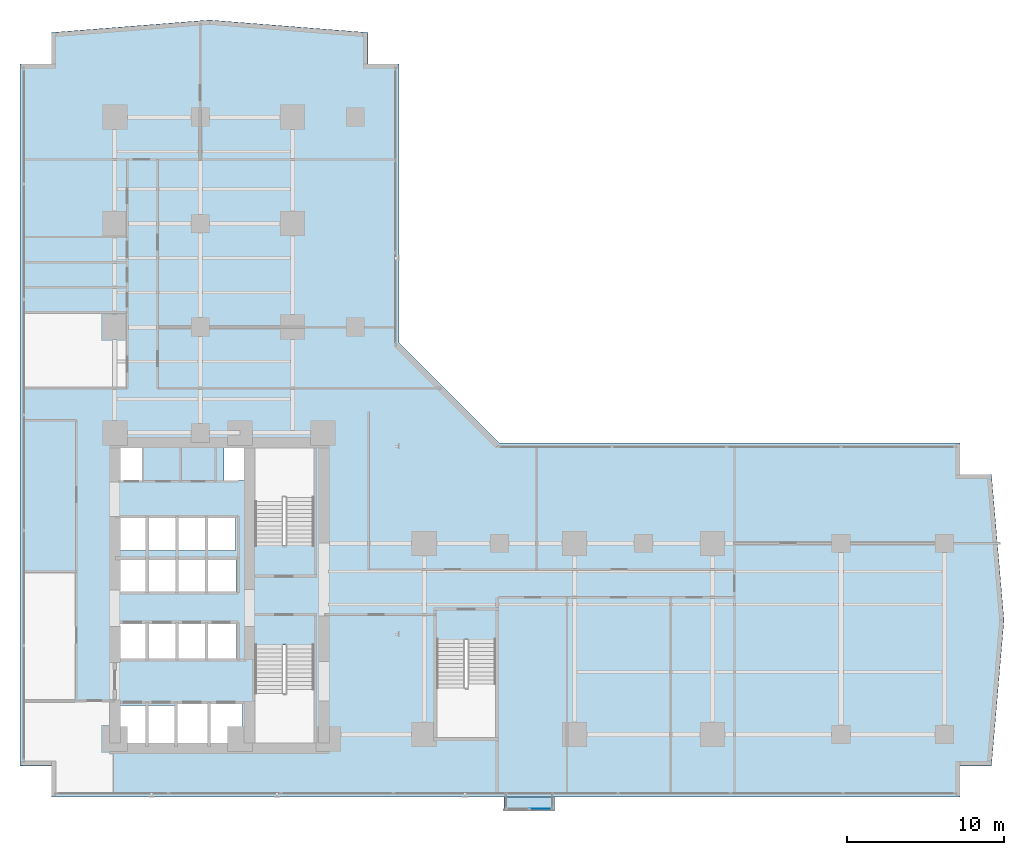
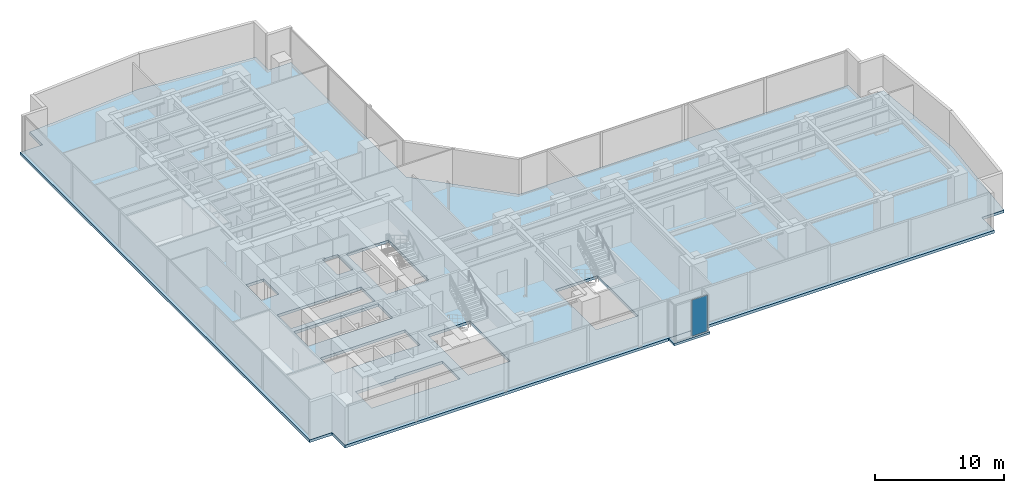
# One storey, part 21 of 31: 2 slabs, 1 plate, 1 element without a shape of its own.
"""IFC4 building model written with IfcOpenShell, lengths in metres."""

from ifc_helpers import new_model, si_unit, direction, frame, origin, origin_with_axes, origin_2d, place, context, subcontext, project, spatial, polyline, rectangle, outline, extrude, source, transform, mapped, material, layer, layer_set, type_object, element, aggregate, save


model = new_model("IFC4")

# Units and contexts
model_context = context("Model", 3, precision=1e-05, world=origin(), true_north=direction((0.0, 1.0)))
body_context = subcontext(model_context, "Body", "Model", "MODEL_VIEW")
ifc_project = project(units=[si_unit("LENGTHUNIT", "METRE"), si_unit("AREAUNIT", "SQUARE_METRE"), si_unit("VOLUMEUNIT", "CUBIC_METRE"), si_unit("PLANEANGLEUNIT", "RADIAN"), si_unit("MASSUNIT", "GRAM", prefix="KILO")], contexts=[model_context])

# Site, building, storey
site_placement = place(None, origin())
site = spatial("IfcSite", under=ifc_project, at=site_placement, CompositionType="ELEMENT")
building_placement = place(site_placement, origin())
building = spatial("IfcBuilding", under=site, at=building_placement, Name="Kolvaren Waterfront Exchange", CompositionType="ELEMENT")
storey_placement = place(building_placement, frame((0.0, 0.0, 67.60009765625)))
storey = spatial("IfcBuildingStorey", under=building, at=storey_placement, Name="L17", CompositionType="ELEMENT", Elevation=67.60009765625)

# Slabs
ifc_material_1 = material(Name="Concrete C40/50", Category="concrete")
ifc_layer_1 = layer(ifc_material_1, 0.260009765625, Name="Concrete C40/50")
ifc_layer_set_1 = layer_set([ifc_layer_1], Name="Concrete C40/50")
slab_type_1 = type_object("IfcSlabType", Name="STR-SLAB-260", PredefinedType="FLOOR", material=ifc_layer_set_1)
slab_1_placement = place(storey_placement, frame((0.0, 0.0, -0.260009765625)))
element("IfcSlab", 1, at=slab_1_placement, inside=storey, type_object=slab_type_1, Name="L17 structural floor slab", PredefinedType="FLOOR", context=body_context, shape_type="SweptSolid", body=[
    extrude(outline(polyline([(3.39990234375, 1.199951171875), (61.39990234375, 1.199951171875), (61.39990234375, 3.199951171875), (63.39990234375, 3.199951171875), (64.199951171875, 12.5), (63.39990234375, 21.800048828125), (61.39990234375, 21.800048828125), (61.39990234375, 23.800048828125), (32.0, 23.800048828125), (25.60009765625, 30.199951171875), (25.60009765625, 48.0), (23.60009765625, 48.0), (23.60009765625, 50.0), (13.5, 50.800048828125), (3.39990234375, 50.0), (3.39990234375, 48.0), (1.39990234375, 48.0), (1.39990234375, 3.199951171875), (3.39990234375, 3.199951171875), (3.39990234375, 1.199951171875)]), holes=[polyline([(11.320068359375, 7.260009765625), (15.610107421875, 7.260009765625), (15.610107421875, 4.5400390625), (7.719970703125, 4.5400390625), (7.719970703125, 7.06005859375), (11.320068359375, 7.06005859375), (11.320068359375, 7.260009765625)]), polyline([(20.159912109375, 4.64990234375), (16.39990234375, 4.64990234375), (16.39990234375, 10.89990234375), (20.159912109375, 10.89990234375), (20.159912109375, 4.64990234375)]), polyline([(31.760009765625, 5.0), (28.0, 5.0), (28.0, 11.25), (31.760009765625, 11.25), (31.760009765625, 5.0)]), polyline([(15.2099609375, 10.0400390625), (7.6201171875, 10.0400390625), (7.6201171875, 12.360107421875), (15.2099609375, 12.360107421875), (15.2099609375, 10.0400390625)]), polyline([(7.64501953125, 16.4599609375), (15.18505859375, 16.4599609375), (15.18505859375, 14.239990234375), (7.64501953125, 14.239990234375), (7.64501953125, 16.4599609375)]), polyline([(15.159912109375, 16.93994140625), (7.669921875, 16.93994140625), (7.669921875, 19.06005859375), (15.159912109375, 19.06005859375), (15.159912109375, 16.93994140625)]), polyline([(16.39990234375, 23.5), (20.159912109375, 23.5), (20.159912109375, 17.25), (16.39990234375, 17.25), (16.39990234375, 23.5)]), polyline([(7.60009765625, 23.780029296875), (9.179931640625, 23.780029296875), (9.179931640625, 21.419921875), (7.60009765625, 21.419921875), (7.60009765625, 23.780029296875)]), polyline([(15.800048828125, 23.780029296875), (15.800048828125, 21.419921875), (14.419921875, 21.419921875), (14.419921875, 23.780029296875), (15.800048828125, 23.780029296875)])]), origin(), (0.0, 0.0, 1.0), 0.260009765625),
])
ifc_layer_2 = layer(ifc_material_1, 0.219970703125, Name="Concrete C40/50")
ifc_layer_set_2 = layer_set([ifc_layer_2], Name="Concrete C40/50")
slab_type_2 = type_object("IfcSlabType", Name="STR-TERR-220", PredefinedType="FLOOR", material=ifc_layer_set_2)
slab_2_placement = place(storey_placement, frame((0.0, 0.0, -0.22021484375)))
element("IfcSlab", 2, at=slab_2_placement, inside=storey, type_object=slab_type_2, Name="L17 projecting bay-box floor strip", PredefinedType="FLOOR", context=body_context, shape_type="SweptSolid", body=[
    extrude(outline(polyline([(32.300048828125, 0.35009765625), (35.5, 0.35009765625), (35.5, 1.199951171875), (32.300048828125, 1.199951171875), (32.300048828125, 0.35009765625)])), origin(), (0.0, 0.0, 1.0), 0.22021484375),
])

# Curtain wall, plate
ifc_material_2 = material(Name="Anodised bronze aluminium 6063-T6", Category="aluminium")
ifc_layer_3 = layer(ifc_material_2, 0.219970703125, Name="Anodised bronze aluminium 6063-T6")
ifc_layer_set_3 = layer_set([ifc_layer_3], Name="Anodised bronze aluminium 6063-T6")
curtain_wall_type = type_object("IfcCurtainWallType", Name="ARC-CW-SYS3", PredefinedType="USERDEFINED", material=ifc_layer_set_3)
curtain_wall_placement = place(storey_placement, origin())
curtain_wall = element("IfcCurtainWall", 3, at=curtain_wall_placement, inside=storey, type_object=curtain_wall_type, Name="L17 stick curtain wall CW3 (CW-L17-BOX)", ObjectType="STICK CURTAIN WALL", PredefinedType="USERDEFINED")
ifc_material_3 = material(Name="Bronze tinted bay-box vision glass", Category="aluminium")
ifc_layer_4 = layer(ifc_material_3, 0.02392578125, Name="Bronze tinted bay-box vision glass")
ifc_layer_set_4 = layer_set([ifc_layer_4], Name="Bronze tinted bay-box vision glass")
plate_type = type_object("IfcPlateType", Name="ARC-CWP-24", PredefinedType="CURTAIN_PANEL", material=ifc_layer_set_4)
shared_shape = source(origin_with_axes(), body_context, "Body", "SweptSolid", [
    extrude(rectangle(XDim=1.37744140625, YDim=0.02392578125, at=origin_2d()), origin(), (0.0, 0.0, 1.0), 3.409912109375),
])
plate_placement = place(storey_placement, frame((34.626220703125, 0.4599609375, 0.06494140625), z_axis=(0.0, 0.0, 1.0), x_axis=(1.0, 0.0, 0.0)))
plate = element("IfcPlate", 4, at=plate_placement, type_object=plate_type, Name="CW3 panel 2.1", PredefinedType="CURTAIN_PANEL", context=body_context, shape_type="MappedRepresentation", body=[
    mapped(shared_shape, transform((0.0, 0.0, 0.0), x_axis=(1.0, 0.0, 0.0), y_axis=(0.0, 1.0, 0.0), z_axis=(0.0, 0.0, 1.0), scale=1.0)),
])
aggregate(curtain_wall, [plate])

save(model, "model.ifc")
